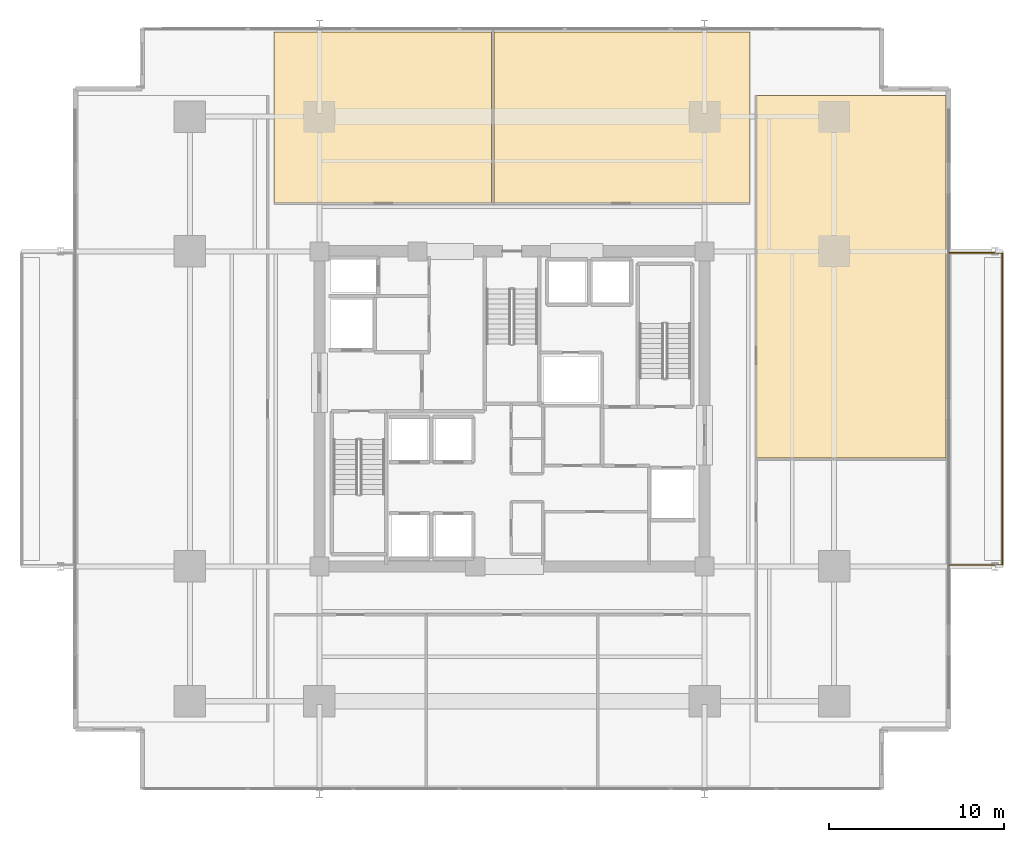
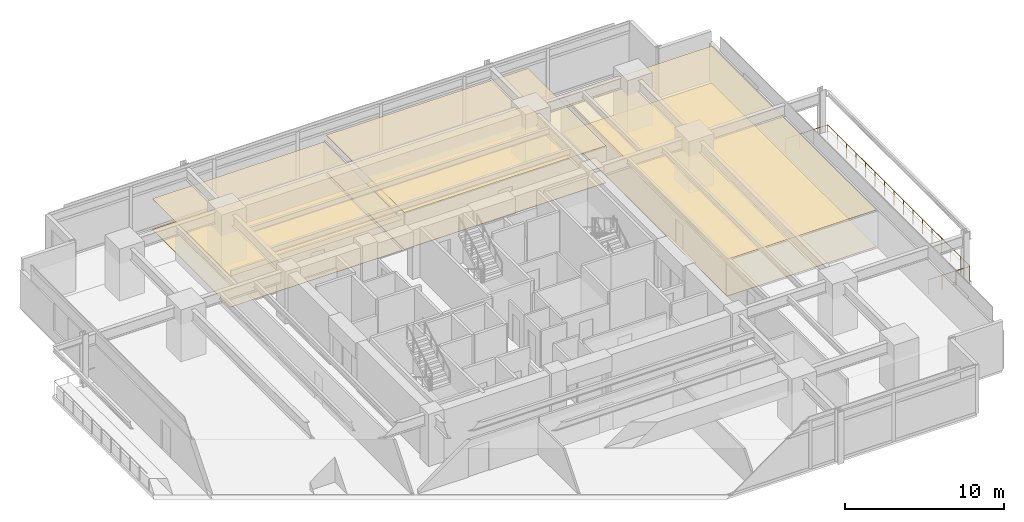
# One storey, part 21 of 21: 6 coverings, 1 railing.
"""IFC4 building model written with IfcOpenShell, lengths in metres."""

from ifc_helpers import new_model, si_unit, direction, frame, origin, origin_2d, place, context, subcontext, project, spatial, polyline, circle, outline, extrude, material, layer, layer_set, type_object, element, save


model = new_model("IFC4")

# Units and contexts
model_context = context("Model", 3, precision=1e-05, world=origin(), true_north=direction((0.0, 1.0)))
body_context = subcontext(model_context, "Body", "Model", "MODEL_VIEW")
ifc_project = project(units=[si_unit("LENGTHUNIT", "METRE"), si_unit("AREAUNIT", "SQUARE_METRE"), si_unit("VOLUMEUNIT", "CUBIC_METRE"), si_unit("PLANEANGLEUNIT", "RADIAN"), si_unit("MASSUNIT", "GRAM", prefix="KILO")], contexts=[model_context])

# Site, building, storey
site_placement = place(None, origin())
site = spatial("IfcSite", under=ifc_project, at=site_placement, CompositionType="ELEMENT")
building_placement = place(site_placement, origin())
building = spatial("IfcBuilding", under=site, at=building_placement, Name="Kovane Verandah Tower", CompositionType="ELEMENT")
storey_placement = place(building_placement, frame((0.0, 0.0, 31.60009765625)))
storey = spatial("IfcBuildingStorey", under=building, at=storey_placement, Name="L06", CompositionType="ELEMENT", Elevation=31.60009765625)

# Coverings
ifc_material_1 = material(Name="Perforated Acoustic Mineral-Fibre Ceiling Tile", Category="gypsum")
ifc_layer_1 = layer(ifc_material_1, 0.02490234375)
ifc_layer_set_1 = layer_set([ifc_layer_1], Name="Perforated Acoustic Mineral-Fibre Ceiling Tile")
covering_type_1 = type_object("IfcCoveringType", Name="CV-CEIL-25", PredefinedType="CEILING", material=ifc_layer_set_1)
covering_1_placement = place(storey_placement, frame((0.0, 0.0, 2.364990234375)))
element("IfcCovering", 1, at=covering_1_placement, inside=storey, type_object=covering_type_1, Name="L06 Open Plan Office N1 Acoustic Ceiling", PredefinedType="CEILING", context=body_context, shape_type="SweptSolid", body=[
    extrude(outline(polyline([(26.39990234375, 39.25), (38.842041015625, 39.25), (38.842041015625, 49.044921875), (26.39990234375, 49.044921875), (26.39990234375, 39.25)])), origin(), (0.0, 0.0, 1.0), 0.02490234375),
])
covering_2_placement = place(storey_placement, frame((0.0, 0.0, 2.824951171875)))
element("IfcCovering", 2, at=covering_2_placement, inside=storey, type_object=covering_type_1, Name="L06 Executive Office N2 Acoustic Ceiling", PredefinedType="CEILING", context=body_context, shape_type="SweptSolid", body=[
    extrude(outline(polyline([(38.98193359375, 39.25), (53.60009765625, 39.25), (53.60009765625, 49.044921875), (38.98193359375, 49.044921875), (38.98193359375, 39.25)])), origin(), (0.0, 0.0, 1.0), 0.02490234375),
])
covering_3_placement = place(storey_placement, frame((0.0, 0.0, 2.824951171875)))
element("IfcCovering", 3, at=covering_3_placement, inside=storey, type_object=covering_type_1, Name="L06 Document and Print Room E2 Acoustic Ceiling", PredefinedType="CEILING", context=body_context, shape_type="SweptSolid", body=[
    extrude(outline(polyline([(53.949951171875, 24.706787109375), (64.78564453125, 24.706787109375), (64.78564453125, 45.39501953125), (53.949951171875, 45.39501953125), (53.949951171875, 24.706787109375)])), origin(), (0.0, 0.0, 1.0), 0.02490234375),
])
ifc_material_2 = material(Name="Polished Terrazzo and Raised-Access Carpet Tile Finish", Category="concrete")
ifc_layer_2 = layer(ifc_material_2, 0.030029296875)
ifc_layer_set_2 = layer_set([ifc_layer_2], Name="Polished Terrazzo and Raised-Access Carpet Tile Finish")
covering_type_2 = type_object("IfcCoveringType", Name="CV-FLOR-30", PredefinedType="FLOORING", material=ifc_layer_set_2)
covering_4_placement = place(storey_placement, origin())
element("IfcCovering", 4, at=covering_4_placement, inside=storey, type_object=covering_type_2, Name="L06 Open Plan Office N1 Floor Finish", PredefinedType="FLOORING", context=body_context, shape_type="SweptSolid", body=[
    extrude(outline(polyline([(26.39990234375, 39.25), (38.842041015625, 39.25), (38.842041015625, 49.044921875), (26.39990234375, 49.044921875), (26.39990234375, 39.25)])), origin(), (0.0, 0.0, 1.0), 0.02978515625),
])
covering_5_placement = place(storey_placement, origin())
element("IfcCovering", 5, at=covering_5_placement, inside=storey, type_object=covering_type_2, Name="L06 Executive Office N2 Floor Finish", PredefinedType="FLOORING", context=body_context, shape_type="SweptSolid", body=[
    extrude(outline(polyline([(38.98193359375, 39.25), (53.60009765625, 39.25), (53.60009765625, 49.044921875), (38.98193359375, 49.044921875), (38.98193359375, 39.25)])), origin(), (0.0, 0.0, 1.0), 0.02978515625),
])
covering_6_placement = place(storey_placement, origin())
element("IfcCovering", 6, at=covering_6_placement, inside=storey, type_object=covering_type_2, Name="L06 Document and Print Room E2 Floor Finish", PredefinedType="FLOORING", context=body_context, shape_type="SweptSolid", body=[
    extrude(outline(polyline([(53.949951171875, 24.706787109375), (64.78564453125, 24.706787109375), (64.78564453125, 45.39501953125), (53.949951171875, 45.39501953125), (53.949951171875, 24.706787109375)])), origin(), (0.0, 0.0, 1.0), 0.02978515625),
])

# Railing
ifc_material_3 = material(Name="Laminated Glass and Pale-Champagne Stainless Balustrade", Category="glass")
railing_type = type_object("IfcRailingType", Name="RL-BAL-1150", PredefinedType="BALUSTRADE", material=ifc_material_3)
railing_placement = place(storey_placement, frame((64.985595703125, 18.580078125, 0.0)))
element("IfcRailing", 7, at=railing_placement, inside=storey, type_object=railing_type, Name="L06 E Verandah Glass Balustrade", PredefinedType="BALUSTRADE", context=body_context, shape_type="SweptSolid", body=[
    extrude(circle(Radius=0.02392578125, at=origin_2d()), frame((0.0, 0.0, 1.1259765625), z_axis=(1.0, 0.0, 0.0), x_axis=(0.0, 1.0, 0.0)), (0.0, 0.0, 1.0), 3.02001953125),
    extrude(circle(Radius=0.02392578125, at=origin_2d()), frame((3.02001953125, 0.0, 1.1259765625), z_axis=(0.0, 1.0, 0.0), x_axis=(-1.0, 0.0, 0.0)), (0.0, 0.0, 1.0), 17.83984375),
    extrude(circle(Radius=0.02392578125, at=origin_2d()), frame((3.02001953125, 17.83984375, 1.1259765625), z_axis=(-1.0, 0.0, 0.0), x_axis=(0.0, -1.0, 0.0)), (0.0, 0.0, 1.0), 3.02001953125),
    extrude(circle(Radius=0.02099609375, at=origin_2d()), origin(), (0.0, 0.0, 1.0), 1.101806640625),
    extrude(circle(Radius=0.02099609375, at=origin_2d()), frame((1.006591796875, 0.0, 0.0)), (0.0, 0.0, 1.0), 1.101806640625),
    extrude(circle(Radius=0.02099609375, at=origin_2d()), frame((2.013427734375, 0.0, 0.0)), (0.0, 0.0, 1.0), 1.101806640625),
    extrude(circle(Radius=0.02099609375, at=origin_2d()), frame((3.02001953125, 0.0, 0.0)), (0.0, 0.0, 1.0), 1.101806640625),
    extrude(circle(Radius=0.02099609375, at=origin_2d()), frame((3.02001953125, 1.189208984375, 0.0)), (0.0, 0.0, 1.0), 1.101806640625),
    extrude(circle(Radius=0.02099609375, at=origin_2d()), frame((3.02001953125, 2.378662109375, 0.0)), (0.0, 0.0, 1.0), 1.101806640625),
    extrude(circle(Radius=0.02099609375, at=origin_2d()), frame((3.02001953125, 3.56787109375, 0.0)), (0.0, 0.0, 1.0), 1.101806640625),
    extrude(circle(Radius=0.02099609375, at=origin_2d()), frame((3.02001953125, 4.75732421875, 0.0)), (0.0, 0.0, 1.0), 1.101806640625),
    extrude(circle(Radius=0.02099609375, at=origin_2d()), frame((3.02001953125, 5.946533203125, 0.0)), (0.0, 0.0, 1.0), 1.101806640625),
    extrude(circle(Radius=0.02099609375, at=origin_2d()), frame((3.02001953125, 7.135986328125, 0.0)), (0.0, 0.0, 1.0), 1.101806640625),
    extrude(circle(Radius=0.02099609375, at=origin_2d()), frame((3.02001953125, 8.3251953125, 0.0)), (0.0, 0.0, 1.0), 1.101806640625),
    extrude(circle(Radius=0.02099609375, at=origin_2d()), frame((3.02001953125, 9.5146484375, 0.0)), (0.0, 0.0, 1.0), 1.101806640625),
    extrude(circle(Radius=0.02099609375, at=origin_2d()), frame((3.02001953125, 10.703857421875, 0.0)), (0.0, 0.0, 1.0), 1.101806640625),
    extrude(circle(Radius=0.02099609375, at=origin_2d()), frame((3.02001953125, 11.893310546875, 0.0)), (0.0, 0.0, 1.0), 1.101806640625),
    extrude(circle(Radius=0.02099609375, at=origin_2d()), frame((3.02001953125, 13.08251953125, 0.0)), (0.0, 0.0, 1.0), 1.101806640625),
    extrude(circle(Radius=0.02099609375, at=origin_2d()), frame((3.02001953125, 14.27197265625, 0.0)), (0.0, 0.0, 1.0), 1.101806640625),
    extrude(circle(Radius=0.02099609375, at=origin_2d()), frame((3.02001953125, 15.461181640625, 0.0)), (0.0, 0.0, 1.0), 1.101806640625),
    extrude(circle(Radius=0.02099609375, at=origin_2d()), frame((3.02001953125, 16.650634765625, 0.0)), (0.0, 0.0, 1.0), 1.101806640625),
    extrude(circle(Radius=0.02099609375, at=origin_2d()), frame((3.02001953125, 17.83984375, 0.0)), (0.0, 0.0, 1.0), 1.101806640625),
    extrude(circle(Radius=0.02099609375, at=origin_2d()), frame((2.013427734375, 17.83984375, 0.0)), (0.0, 0.0, 1.0), 1.101806640625),
    extrude(circle(Radius=0.02099609375, at=origin_2d()), frame((1.006591796875, 17.83984375, 0.0)), (0.0, 0.0, 1.0), 1.101806640625),
    extrude(circle(Radius=0.02099609375, at=origin_2d()), frame((0.0, 17.83984375, 0.0)), (0.0, 0.0, 1.0), 1.101806640625),
])

save(model, "model.ifc")
